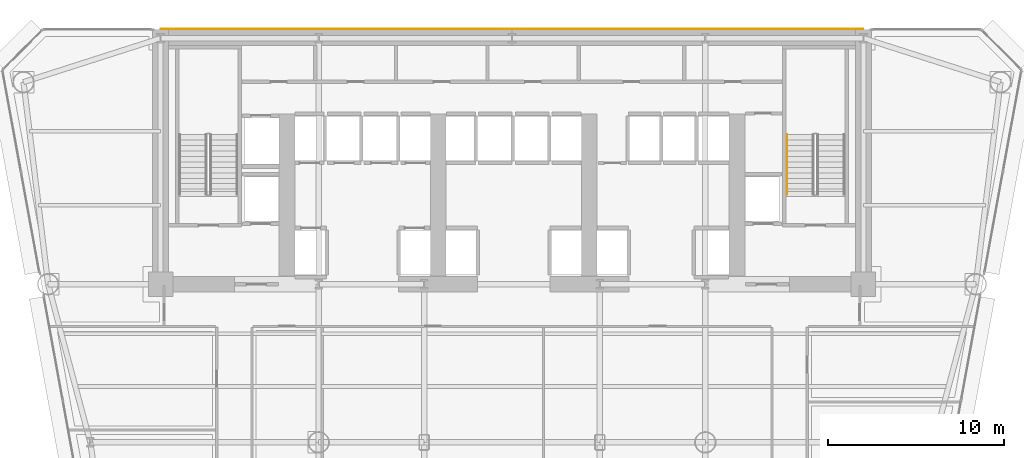
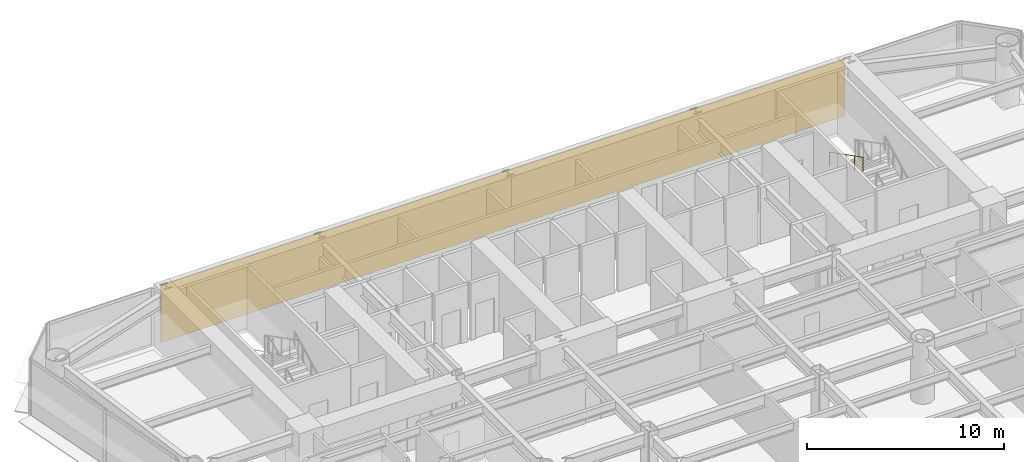
# One storey, part 13 of 14: 1 covering, 1 railing.
"""IFC4 building model written with IfcOpenShell, lengths in metres."""

from ifc_helpers import new_model, si_unit, direction, frame, origin, origin_2d, place, context, subcontext, project, spatial, polyline, circle, outline, extrude, material, layer, layer_set, type_object, element, save


model = new_model("IFC4")

# Units and contexts
model_context = context("Model", 3, precision=1e-05, world=origin(), true_north=direction((0.0, 1.0)))
body_context = subcontext(model_context, "Body", "Model", "MODEL_VIEW")
ifc_project = project(units=[si_unit("LENGTHUNIT", "METRE"), si_unit("AREAUNIT", "SQUARE_METRE"), si_unit("VOLUMEUNIT", "CUBIC_METRE"), si_unit("PLANEANGLEUNIT", "RADIAN"), si_unit("MASSUNIT", "GRAM", prefix="KILO")], contexts=[model_context])

# Site, building, storey
site_placement = place(None, origin())
site = spatial("IfcSite", under=ifc_project, at=site_placement, CompositionType="ELEMENT")
building_placement = place(site_placement, origin())
building = spatial("IfcBuilding", under=site, at=building_placement, Name="Vaeldorn Concourse Tower", CompositionType="ELEMENT")
storey_placement = place(building_placement, frame((0.0, 0.0, 79.60009765625)))
storey = spatial("IfcBuildingStorey", under=building, at=storey_placement, Name="L20", CompositionType="ELEMENT", Elevation=79.60009765625)

# Covering
ifc_material = material(Name="Anodised Bronze Aluminium", Category="aluminium")
ifc_layer = layer(ifc_material, 0.050048828125)
ifc_layer_set = layer_set([ifc_layer], Name="Anodised Bronze Aluminium")
covering_type = type_object("IfcCoveringType", Name="COV-CLAD-BRONZE", PredefinedType="CLADDING", material=ifc_layer_set)
covering_placement = place(storey_placement, origin())
element("IfcCovering", 1, at=covering_placement, inside=storey, type_object=covering_type, Name="Rear Core Bronze Spandrel Cladding L20", PredefinedType="CLADDING", context=body_context, shape_type="SweptSolid", body=[
    extrude(outline(polyline([(14.0, 51.0), (54.0, 51.0), (54.0, 51.050048828125), (14.0, 51.050048828125), (14.0, 51.0)])), origin(), (0.0, 0.0, 1.0), 3.539794921875),
])

# Railing
railing_type = type_object("IfcRailingType", Name="RL-STAIR-HANDRAIL", PredefinedType="HANDRAIL", material=ifc_material)
railing_placement = place(storey_placement, frame((49.64990234375, 45.010009765625, 2.058349609375)))
element("IfcRailing", 2, at=railing_placement, inside=storey, type_object=railing_type, Name="L20 ST-2 stair handrail 2", PredefinedType="HANDRAIL", context=body_context, shape_type="SweptSolid", body=[
    extrude(circle(Radius=0.02392578125, at=origin_2d()), frame((0.0, 0.0, 0.8759765625), z_axis=(0.0, -0.890581635807, 0.454823427236), x_axis=(1.0, 0.0, 0.0)), (0.0, 0.0, 1.0), 3.828857421875),
    extrude(circle(Radius=0.02099609375, at=origin_2d()), origin(), (0.0, 0.0, 1.0), 0.851806640625),
    extrude(circle(Radius=0.02099609375, at=origin_2d()), frame((0.0, -0.8525390625, 0.435302734375)), (0.0, 0.0, 1.0), 0.851806640625),
    extrude(circle(Radius=0.02099609375, at=origin_2d()), frame((0.0, -1.705078125, 0.87060546875)), (0.0, 0.0, 1.0), 0.851806640625),
    extrude(circle(Radius=0.02099609375, at=origin_2d()), frame((0.0, -2.557373046875, 1.30615234375)), (0.0, 0.0, 1.0), 0.851806640625),
    extrude(circle(Radius=0.02099609375, at=origin_2d()), frame((0.0, -3.409912109375, 1.741455078125)), (0.0, 0.0, 1.0), 0.851806640625),
])

save(model, "model.ifc")
